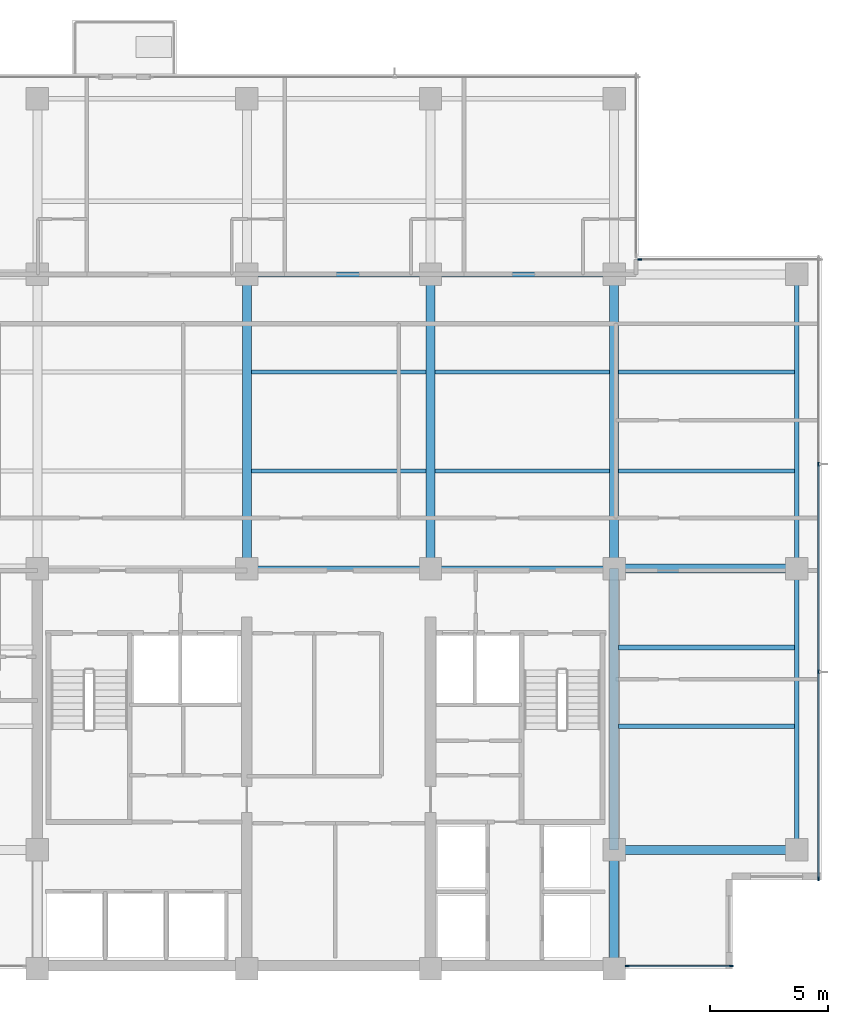
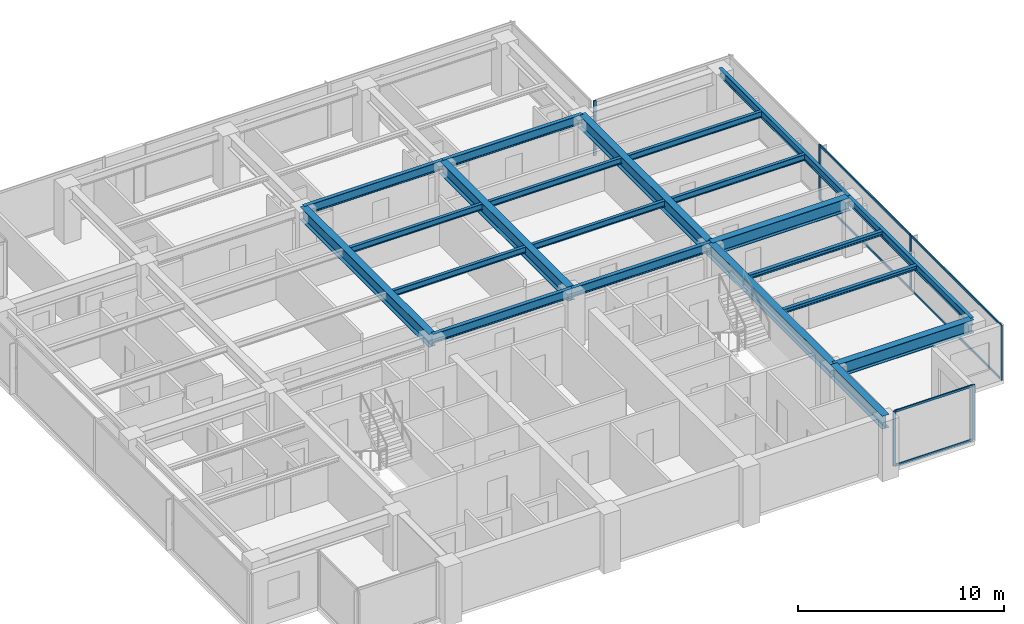
# One storey, part 3 of 14: 21 beams, 12 members, 3 elements without a shape of their own.
"""IFC4 building model written with IfcOpenShell, lengths in metres."""

from ifc_helpers import new_model, si_unit, direction, frame, origin, origin_2d, place, context, subcontext, project, spatial, rectangle, i_section, extrude, material, layer, layer_set, material_profile, profile_set, type_object, element, aggregate, save


model = new_model("IFC4")

# Units and contexts
model_context = context("Model", 3, precision=1e-05, world=origin(), true_north=direction((0.0, 1.0)))
body_context = subcontext(model_context, "Body", "Model", "MODEL_VIEW")
ifc_project = project(units=[si_unit("LENGTHUNIT", "METRE"), si_unit("AREAUNIT", "SQUARE_METRE"), si_unit("VOLUMEUNIT", "CUBIC_METRE"), si_unit("PLANEANGLEUNIT", "RADIAN"), si_unit("MASSUNIT", "GRAM", prefix="KILO")], contexts=[model_context])

# Site, building, storey
site_placement = place(None, origin())
site = spatial("IfcSite", under=ifc_project, at=site_placement, CompositionType="ELEMENT")
building_placement = place(site_placement, origin())
building = spatial("IfcBuilding", under=site, at=building_placement, Name="Qalmaran Belvedere Hotel", CompositionType="ELEMENT")
storey_placement = place(building_placement, frame((0.0, 0.0, 210.89990234375)))
storey = spatial("IfcBuildingStorey", under=building, at=storey_placement, Name="L53", CompositionType="ELEMENT", Elevation=210.89990234375)

# Beams
ifc_material_1 = material(Name="Steel S355JR", Category="steel")
ifc_material_profile_1 = material_profile(ifc_material_1, i_section(OverallWidth=0.201904296875, OverallDepth=0.2470703125, WebThickness=0.00732421875, FlangeThickness=0.010986328125, FilletRadius=0.011962890625, at=origin_2d()), Name="W250X49")
ifc_profile_set_1 = profile_set([ifc_material_profile_1], Name="Steel S355JR")
beam_type_1 = type_object("IfcBeamType", Name="BM-JST-W250X49", PredefinedType="JOIST", material=ifc_profile_set_1)
for number, where, z_axis, x_axis, name in (
    (1, (44.988525390625, 13.800048828125, 3.13671875), (1.0, 0.0, 0.0), (0.0, 1.0, 0.0), "L53 East Wing Joist 039"),
    (2, (44.988525390625, 17.14990234375, 3.13671875), (1.0, 0.0, 0.0), (0.0, 1.0, 0.0), "L53 East Wing Joist 041"),
):
    element("IfcBeam", number, at=place(storey_placement, frame(where, z_axis=z_axis, x_axis=x_axis)), inside=storey, type_object=beam_type_1, Name=name, PredefinedType="JOIST", context=body_context, shape_type="SweptSolid", body=[
        extrude(i_section(OverallWidth=0.201904296875, OverallDepth=0.2470703125, WebThickness=0.00732421875, FlangeThickness=0.010986328125, FilletRadius=0.011962890625, at=origin_2d()), origin(), (0.0, 0.0, 1.0), 7.467529296875),
    ])
ifc_material_profile_2 = material_profile(ifc_material_1, i_section(OverallWidth=0.381103515625, OverallDepth=0.77294921875, WebThickness=0.0166015625, FlangeThickness=0.027099609375, FilletRadius=0.02197265625, at=origin_2d()), Name="W760X257")
ifc_profile_set_2 = profile_set([ifc_material_profile_2], Name="Steel S355JR")
beam_type_2 = type_object("IfcBeamType", Name="BM-PG4-W760X257", PredefinedType="USERDEFINED", material=ifc_profile_set_2)
for number, where, z_axis, x_axis, name in (
    (3, (29.199951171875, 20.5, 2.87353515625), (0.0, 1.0, 0.0), (-1.0, 0.0, 0.0), "L53 Mid-Plate N-S Girder 16"),
    (4, (37.0, 20.5, 2.87353515625), (0.0, 1.0, 0.0), (-1.0, 0.0, 0.0), "L53 Mid-Plate N-S Girder 18"),
    (5, (44.800048828125, 20.5, 2.87353515625), (0.0, 1.0, 0.0), (-1.0, 0.0, 0.0), "L53 Mid-Plate N-S Girder 20"),
):
    element("IfcBeam", number, at=place(storey_placement, frame(where, z_axis=z_axis, x_axis=x_axis)), inside=storey, type_object=beam_type_2, Name=name, ObjectType="GIRDER", PredefinedType="USERDEFINED", context=body_context, shape_type="SweptSolid", body=[
        extrude(i_section(OverallWidth=0.381103515625, OverallDepth=0.77294921875, WebThickness=0.0166015625, FlangeThickness=0.027099609375, FilletRadius=0.02197265625, at=origin_2d()), origin(), (0.0, 0.0, 1.0), 12.5),
    ])
beam_1_placement = place(storey_placement, frame((44.800048828125, 3.5, 2.87353515625), z_axis=(0.0, 1.0, 0.0), x_axis=(-1.0, 0.0, 0.0)))
element("IfcBeam", 6, at=beam_1_placement, inside=storey, type_object=beam_type_2, Name="L53 East Core Edge Girder A", ObjectType="GIRDER", PredefinedType="USERDEFINED", context=body_context, shape_type="SweptSolid", body=[
    extrude(i_section(OverallWidth=0.381103515625, OverallDepth=0.77294921875, WebThickness=0.0166015625, FlangeThickness=0.027099609375, FilletRadius=0.02197265625, at=origin_2d()), origin(), (0.0, 0.0, 1.0), 5.050048828125),
])
beam_2_placement = place(storey_placement, frame((44.800048828125, 8.550048828125, 2.87353515625), z_axis=(0.0, 1.0, 0.0), x_axis=(-1.0, 0.0, 0.0)))
element("IfcBeam", 7, at=beam_2_placement, inside=storey, type_object=beam_type_2, Name="L53 East Core Edge Girder B", ObjectType="GIRDER", PredefinedType="USERDEFINED", context=body_context, shape_type="SweptSolid", body=[
    extrude(i_section(OverallWidth=0.381103515625, OverallDepth=0.77294921875, WebThickness=0.0166015625, FlangeThickness=0.027099609375, FilletRadius=0.02197265625, at=origin_2d()), origin(), (0.0, 0.0, 1.0), 11.949951171875),
])
for number, where, z_axis, x_axis, name in (
    (8, (44.800048828125, 8.550048828125, 2.87353515625), (1.0, 0.0, 0.0), (0.0, 1.0, 0.0), "L53 East Wing Girder 25"),
    (9, (44.800048828125, 20.5, 2.87353515625), (1.0, 0.0, 0.0), (0.0, 1.0, 0.0), "L53 East Wing Girder 26"),
):
    element("IfcBeam", number, at=place(storey_placement, frame(where, z_axis=z_axis, x_axis=x_axis)), inside=storey, type_object=beam_type_2, Name=name, ObjectType="GIRDER", PredefinedType="USERDEFINED", context=body_context, shape_type="SweptSolid", body=[
        extrude(i_section(OverallWidth=0.381103515625, OverallDepth=0.77294921875, WebThickness=0.0166015625, FlangeThickness=0.027099609375, FilletRadius=0.02197265625, at=origin_2d()), origin(), (0.0, 0.0, 1.0), 7.75),
    ])
ifc_material_profile_3 = material_profile(ifc_material_1, i_section(OverallWidth=0.172119140625, OverallDepth=0.35791015625, WebThickness=0.0078125, FlangeThickness=0.01318359375, FilletRadius=0.014892578125, at=origin_2d()), Name="W360X57")
ifc_profile_set_3 = profile_set([ifc_material_profile_3], Name="Steel S355JR")
beam_type_3 = type_object("IfcBeamType", Name="BM-SB4-W360X57", PredefinedType="BEAM", material=ifc_profile_set_3)
for number, where, z_axis, x_axis, name in (
    (10, (29.388427734375, 24.64990234375, 3.0810546875), (1.0, 0.0, 0.0), (0.0, 1.0, 0.0), "L53 Secondary Floor Beam 030"),
    (11, (37.1884765625, 24.64990234375, 3.0810546875), (1.0, 0.0, 0.0), (0.0, 1.0, 0.0), "L53 Secondary Floor Beam 031"),
):
    element("IfcBeam", number, at=place(storey_placement, frame(where, z_axis=z_axis, x_axis=x_axis)), inside=storey, type_object=beam_type_3, Name=name, PredefinedType="BEAM", context=body_context, shape_type="SweptSolid", body=[
        extrude(i_section(OverallWidth=0.172119140625, OverallDepth=0.35791015625, WebThickness=0.0078125, FlangeThickness=0.01318359375, FilletRadius=0.014892578125, at=origin_2d()), origin(), (0.0, 0.0, 1.0), 7.423095703125),
    ])
beam_3_placement = place(storey_placement, frame((44.988525390625, 24.64990234375, 3.0810546875), z_axis=(1.0, 0.0, 0.0), x_axis=(0.0, 1.0, 0.0)))
element("IfcBeam", 12, at=beam_3_placement, inside=storey, type_object=beam_type_3, Name="L53 East Secondary Beam 032", PredefinedType="BEAM", context=body_context, shape_type="SweptSolid", body=[
    extrude(i_section(OverallWidth=0.172119140625, OverallDepth=0.35791015625, WebThickness=0.0078125, FlangeThickness=0.01318359375, FilletRadius=0.014892578125, at=origin_2d()), origin(), (0.0, 0.0, 1.0), 7.467529296875),
])
for number, where, z_axis, x_axis, name in (
    (13, (29.388427734375, 28.85009765625, 3.0810546875), (1.0, 0.0, 0.0), (0.0, 1.0, 0.0), "L53 Secondary Floor Beam 035"),
    (14, (37.1884765625, 28.85009765625, 3.0810546875), (1.0, 0.0, 0.0), (0.0, 1.0, 0.0), "L53 Secondary Floor Beam 036"),
):
    element("IfcBeam", number, at=place(storey_placement, frame(where, z_axis=z_axis, x_axis=x_axis)), inside=storey, type_object=beam_type_3, Name=name, PredefinedType="BEAM", context=body_context, shape_type="SweptSolid", body=[
        extrude(i_section(OverallWidth=0.172119140625, OverallDepth=0.35791015625, WebThickness=0.0078125, FlangeThickness=0.01318359375, FilletRadius=0.014892578125, at=origin_2d()), origin(), (0.0, 0.0, 1.0), 7.423095703125),
    ])
beam_4_placement = place(storey_placement, frame((44.988525390625, 28.85009765625, 3.0810546875), z_axis=(1.0, 0.0, 0.0), x_axis=(0.0, 1.0, 0.0)))
element("IfcBeam", 15, at=beam_4_placement, inside=storey, type_object=beam_type_3, Name="L53 East Secondary Beam 037", PredefinedType="BEAM", context=body_context, shape_type="SweptSolid", body=[
    extrude(i_section(OverallWidth=0.172119140625, OverallDepth=0.35791015625, WebThickness=0.0078125, FlangeThickness=0.01318359375, FilletRadius=0.014892578125, at=origin_2d()), origin(), (0.0, 0.0, 1.0), 7.467529296875),
])
ifc_material_profile_4 = material_profile(ifc_material_1, i_section(OverallWidth=0.19189453125, OverallDepth=0.462890625, WebThickness=0.010498046875, FlangeThickness=0.017578125, FilletRadius=0.01611328125, at=origin_2d()), Name="W460X89")
ifc_profile_set_4 = profile_set([ifc_material_profile_4], Name="Steel S355JR")
beam_type_4 = type_object("IfcBeamType", Name="BM-SP2-W460X89", PredefinedType="SPANDREL", material=ifc_profile_set_4)
beam_5_placement = place(storey_placement, frame((52.550048828125, 8.550048828125, 3.028564453125), z_axis=(0.0, 1.0, 0.0), x_axis=(-1.0, 0.0, 0.0)))
element("IfcBeam", 16, at=beam_5_placement, inside=storey, type_object=beam_type_4, Name="L53 Perimeter Spandrel 03", PredefinedType="SPANDREL", context=body_context, shape_type="SweptSolid", body=[
    extrude(i_section(OverallWidth=0.19189453125, OverallDepth=0.462890625, WebThickness=0.010498046875, FlangeThickness=0.017578125, FilletRadius=0.01611328125, at=origin_2d()), origin(), (0.0, 0.0, 1.0), 11.949951171875),
])
beam_6_placement = place(storey_placement, frame((52.550048828125, 20.5, 3.028564453125), z_axis=(0.0, 1.0, 0.0), x_axis=(-1.0, 0.0, 0.0)))
element("IfcBeam", 17, at=beam_6_placement, inside=storey, type_object=beam_type_4, Name="L53 Perimeter Spandrel 04", PredefinedType="SPANDREL", context=body_context, shape_type="SweptSolid", body=[
    extrude(i_section(OverallWidth=0.19189453125, OverallDepth=0.462890625, WebThickness=0.010498046875, FlangeThickness=0.017578125, FilletRadius=0.01611328125, at=origin_2d()), origin(), (0.0, 0.0, 1.0), 12.5),
])
ifc_material_profile_5 = material_profile(ifc_material_1, i_section(OverallWidth=0.2109375, OverallDepth=0.5390625, WebThickness=0.01171875, FlangeThickness=0.018798828125, FilletRadius=0.01806640625, at=origin_2d()), Name="W530X109")
ifc_profile_set_5 = profile_set([ifc_material_profile_5], Name="Steel S355JR")
beam_type_5 = type_object("IfcBeamType", Name="BM-Z4-W530X109", PredefinedType="USERDEFINED", material=ifc_profile_set_5)
for number, where, z_axis, x_axis, name in (
    (18, (29.199951171875, 20.5, 2.990478515625), (1.0, 0.0, 0.0), (0.0, 1.0, 0.0), "L53 Interior E-W Girder 09"),
    (19, (37.0, 20.5, 2.990478515625), (1.0, 0.0, 0.0), (0.0, 1.0, 0.0), "L53 Interior E-W Girder 10"),
    (20, (29.199951171875, 33.0, 2.990478515625), (1.0, 0.0, 0.0), (0.0, 1.0, 0.0), "L53 Interior E-W Girder 12"),
    (21, (37.0, 33.0, 2.990478515625), (1.0, 0.0, 0.0), (0.0, 1.0, 0.0), "L53 Interior E-W Girder 13"),
):
    element("IfcBeam", number, at=place(storey_placement, frame(where, z_axis=z_axis, x_axis=x_axis)), inside=storey, type_object=beam_type_5, Name=name, ObjectType="GIRDER", PredefinedType="USERDEFINED", context=body_context, shape_type="SweptSolid", body=[
        extrude(i_section(OverallWidth=0.2109375, OverallDepth=0.5390625, WebThickness=0.01171875, FlangeThickness=0.018798828125, FilletRadius=0.01806640625, at=origin_2d()), origin(), (0.0, 0.0, 1.0), 7.800048828125),
    ])

# Curtain wall, members
ifc_material_2 = material(Name="Anodised Bronze Aluminium", Category="aluminium")
ifc_layer = layer(ifc_material_2, 0.18994140625, Name="Anodised Bronze Aluminium")
ifc_layer_set = layer_set([ifc_layer], Name="Anodised Bronze Aluminium")
curtain_wall_type = type_object("IfcCurtainWallType", Name="CW5-TOWER-UPPER", PredefinedType="NOTDEFINED", material=ifc_layer_set)
curtain_wall_1_placement = place(storey_placement, origin())
curtain_wall_1 = element("IfcCurtainWall", 22, at=curtain_wall_1_placement, inside=storey, type_object=curtain_wall_type, Name="L53 Curtain Wall CW5", PredefinedType="NOTDEFINED")
ifc_material_profile_6 = material_profile(ifc_material_2, rectangle(XDim=0.06494140625, YDim=0.1650390625, at=origin_2d()), Name="CWM65X165")
ifc_profile_set_6 = profile_set([ifc_material_profile_6], Name="Anodised Bronze Aluminium")
member_type_1 = type_object("IfcMemberType", Name="CWM-65X165", PredefinedType="MULLION", material=ifc_profile_set_6)
member_1_placement = place(storey_placement, frame((45.347412109375, 3.6201171875, 0.0), z_axis=(0.0, 0.0, 1.0), x_axis=(0.0, 1.0, 0.0)))
member_1 = element("IfcMember", 23, at=member_1_placement, type_object=member_type_1, Name="CW5 mullion 1", PredefinedType="MULLION", context=body_context, shape_type="SweptSolid", body=[
    extrude(rectangle(XDim=0.06494140625, YDim=0.1650390625, at=origin_2d()), origin(), (0.0, 0.0, 1.0), 3.260009765625),
])
member_2_placement = place(storey_placement, frame((49.767578125, 3.6201171875, 0.0), z_axis=(0.0, 0.0, 1.0), x_axis=(0.0, 1.0, 0.0)))
member_2 = element("IfcMember", 24, at=member_2_placement, type_object=member_type_1, Name="CW5 mullion 2", PredefinedType="MULLION", context=body_context, shape_type="SweptSolid", body=[
    extrude(rectangle(XDim=0.06494140625, YDim=0.1650390625, at=origin_2d()), origin(), (0.0, 0.0, 1.0), 3.260009765625),
])

curtain_wall_2_placement = place(storey_placement, origin())
curtain_wall_2 = element("IfcCurtainWall", 25, at=curtain_wall_2_placement, inside=storey, type_object=curtain_wall_type, Name="L53 Curtain Wall CW5", PredefinedType="NOTDEFINED")
member_3_placement = place(storey_placement, frame((53.47998046875, 7.33251953125, 0.0), z_axis=(0.0, 0.0, 1.0), x_axis=(-1.0, 0.0, 0.0)))
member_3 = element("IfcMember", 26, at=member_3_placement, type_object=member_type_1, Name="CW5 mullion 1", PredefinedType="MULLION", context=body_context, shape_type="SweptSolid", body=[
    extrude(rectangle(XDim=0.06494140625, YDim=0.1650390625, at=origin_2d()), origin(), (0.0, 0.0, 1.0), 3.260009765625),
])
member_4_placement = place(storey_placement, frame((53.47998046875, 16.11669921875, 0.0), z_axis=(0.0, 0.0, 1.0), x_axis=(-1.0, 0.0, 0.0)))
member_4 = element("IfcMember", 27, at=member_4_placement, type_object=member_type_1, Name="CW5 mullion 2", PredefinedType="MULLION", context=body_context, shape_type="SweptSolid", body=[
    extrude(rectangle(XDim=0.06494140625, YDim=0.1650390625, at=origin_2d()), origin(), (0.0, 0.0, 1.0), 3.260009765625),
])
member_5_placement = place(storey_placement, frame((53.47998046875, 24.933349609375, 0.0), z_axis=(0.0, 0.0, 1.0), x_axis=(-1.0, 0.0, 0.0)))
member_5 = element("IfcMember", 28, at=member_5_placement, type_object=member_type_1, Name="CW5 mullion 3", PredefinedType="MULLION", context=body_context, shape_type="SweptSolid", body=[
    extrude(rectangle(XDim=0.06494140625, YDim=0.1650390625, at=origin_2d()), origin(), (0.0, 0.0, 1.0), 3.260009765625),
])

# Curtain wall, member
curtain_wall_3_placement = place(storey_placement, origin())
curtain_wall_3 = element("IfcCurtainWall", 29, at=curtain_wall_3_placement, inside=storey, type_object=curtain_wall_type, Name="L53 Curtain Wall CW5", PredefinedType="NOTDEFINED")
member_6_placement = place(storey_placement, frame((45.882568359375, 33.6298828125, 0.0), z_axis=(0.0, 0.0, 1.0), x_axis=(0.0, -1.0, 0.0)))
member_6 = element("IfcMember", 30, at=member_6_placement, type_object=member_type_1, Name="CW5 mullion 2", PredefinedType="MULLION", context=body_context, shape_type="SweptSolid", body=[
    extrude(rectangle(XDim=0.06494140625, YDim=0.1650390625, at=origin_2d()), origin(), (0.0, 0.0, 1.0), 3.260009765625),
])
aggregate(curtain_wall_3, [member_6])

# Member
ifc_material_profile_7 = material_profile(ifc_material_2, rectangle(XDim=0.06494140625, YDim=0.1298828125, at=origin_2d()), Name="CWT65X130")
ifc_profile_set_7 = profile_set([ifc_material_profile_7], Name="Anodised Bronze Aluminium")
member_type_2 = type_object("IfcMemberType", Name="CWT-65X130", PredefinedType="USERDEFINED", material=ifc_profile_set_7)
member_7_placement = place(storey_placement, frame((45.3798828125, 3.6201171875, 0.03271484375), z_axis=(1.0, 0.0, 0.0), x_axis=(0.0, 1.0, 0.0)))
member_7 = element("IfcMember", 31, at=member_7_placement, type_object=member_type_2, Name="CW5 transom 1.1", ObjectType="TRANSOM", PredefinedType="USERDEFINED", context=body_context, shape_type="SweptSolid", body=[
    extrude(rectangle(XDim=0.06494140625, YDim=0.1298828125, at=origin_2d()), origin(), (0.0, 0.0, 1.0), 4.355224609375),
])

member_8_placement = place(storey_placement, frame((45.3798828125, 3.6201171875, 3.2275390625), z_axis=(1.0, 0.0, 0.0), x_axis=(0.0, 1.0, 0.0)))
member_8 = element("IfcMember", 32, at=member_8_placement, type_object=member_type_2, Name="CW5 transom 1.2", ObjectType="TRANSOM", PredefinedType="USERDEFINED", context=body_context, shape_type="SweptSolid", body=[
    extrude(rectangle(XDim=0.06494140625, YDim=0.1298828125, at=origin_2d()), origin(), (0.0, 0.0, 1.0), 4.355224609375),
])

aggregate(curtain_wall_1, [member_1, member_2, member_7, member_8])

member_9_placement = place(storey_placement, frame((53.47998046875, 7.364990234375, 0.03271484375), z_axis=(0.0, 1.0, 0.0), x_axis=(-1.0, 0.0, 0.0)))
member_9 = element("IfcMember", 33, at=member_9_placement, type_object=member_type_2, Name="CW5 transom 1.1", ObjectType="TRANSOM", PredefinedType="USERDEFINED", context=body_context, shape_type="SweptSolid", body=[
    extrude(rectangle(XDim=0.06494140625, YDim=0.1298828125, at=origin_2d()), origin(), (0.0, 0.0, 1.0), 8.71923828125),
])

member_10_placement = place(storey_placement, frame((53.47998046875, 7.364990234375, 3.2275390625), z_axis=(0.0, 1.0, 0.0), x_axis=(-1.0, 0.0, 0.0)))
member_10 = element("IfcMember", 34, at=member_10_placement, type_object=member_type_2, Name="CW5 transom 1.2", ObjectType="TRANSOM", PredefinedType="USERDEFINED", context=body_context, shape_type="SweptSolid", body=[
    extrude(rectangle(XDim=0.06494140625, YDim=0.1298828125, at=origin_2d()), origin(), (0.0, 0.0, 1.0), 8.71923828125),
])

member_11_placement = place(storey_placement, frame((53.47998046875, 16.149169921875, 0.03271484375), z_axis=(0.0, 1.0, 0.0), x_axis=(-1.0, 0.0, 0.0)))
member_11 = element("IfcMember", 35, at=member_11_placement, type_object=member_type_2, Name="CW5 transom 2.1", ObjectType="TRANSOM", PredefinedType="USERDEFINED", context=body_context, shape_type="SweptSolid", body=[
    extrude(rectangle(XDim=0.06494140625, YDim=0.1298828125, at=origin_2d()), origin(), (0.0, 0.0, 1.0), 8.751708984375),
])

member_12_placement = place(storey_placement, frame((53.47998046875, 16.149169921875, 3.2275390625), z_axis=(0.0, 1.0, 0.0), x_axis=(-1.0, 0.0, 0.0)))
member_12 = element("IfcMember", 36, at=member_12_placement, type_object=member_type_2, Name="CW5 transom 2.2", ObjectType="TRANSOM", PredefinedType="USERDEFINED", context=body_context, shape_type="SweptSolid", body=[
    extrude(rectangle(XDim=0.06494140625, YDim=0.1298828125, at=origin_2d()), origin(), (0.0, 0.0, 1.0), 8.751708984375),
])

aggregate(curtain_wall_2, [member_3, member_4, member_5, member_9, member_10, member_11, member_12])

save(model, "model.ifc")
